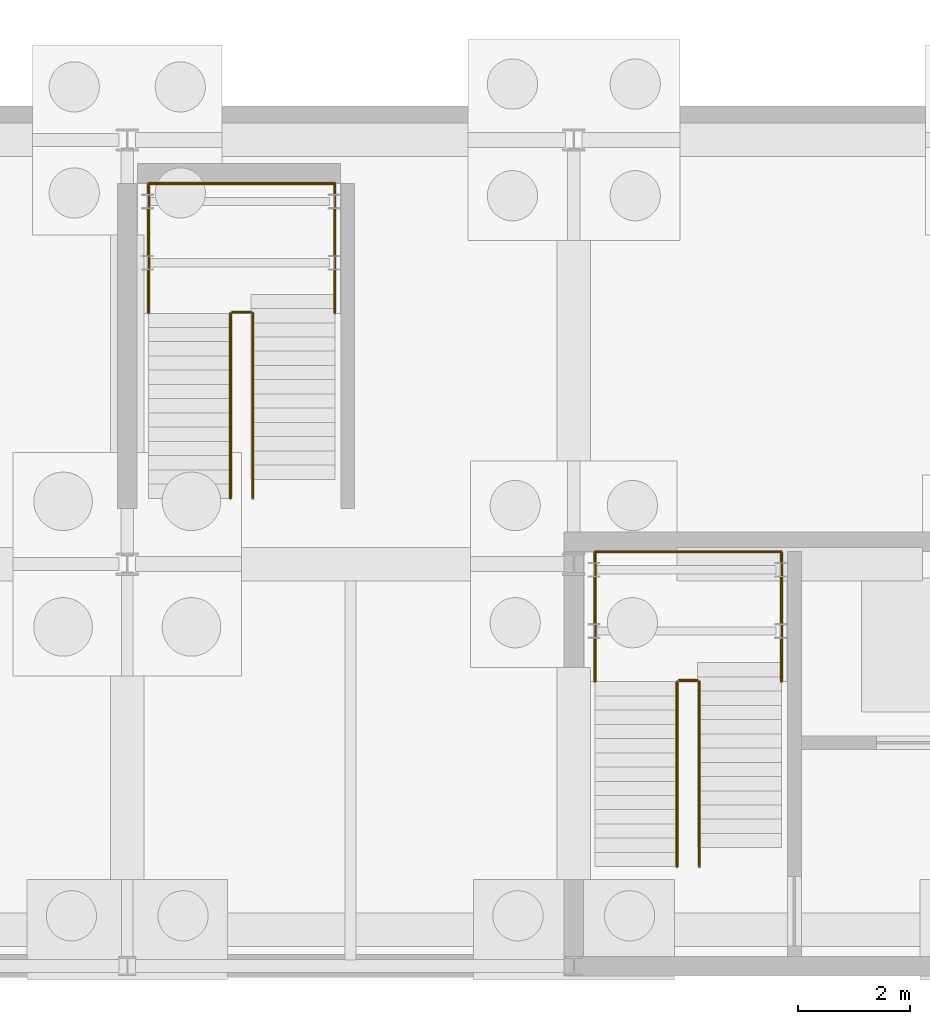
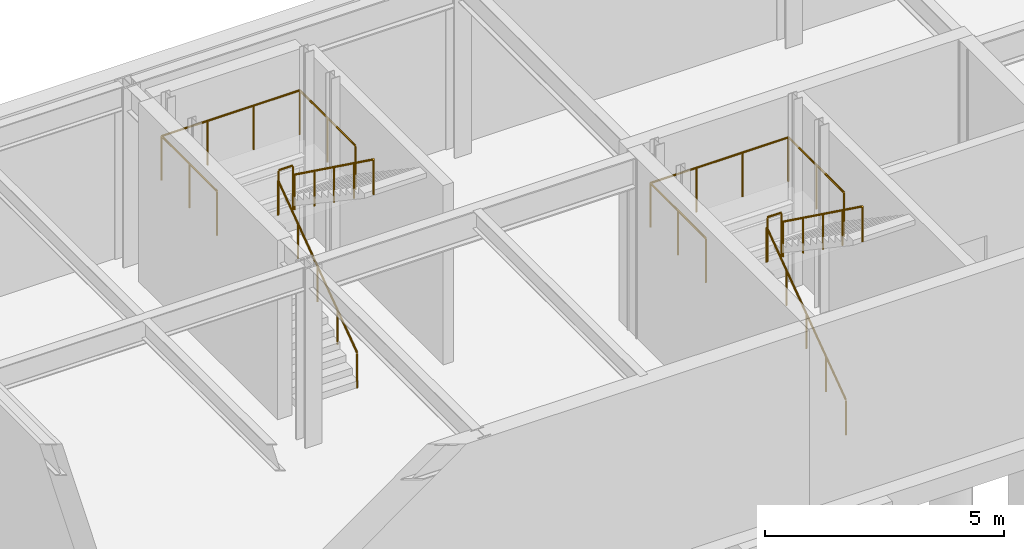
# One storey, part 18 of 21: 8 railings.
"""IFC4 building model written with IfcOpenShell, lengths in metres."""

import ifcopenshell
import ifcopenshell.guid

model = None  # the IFC model being written
_history = None  # IfcOwnerHistory: only IFC2X3 demands one
_inside = {}  # id of a spatial element -> (the spatial element, [elements in it])
_under = {}  # id of a project, library or spatial element -> (it, [spatial elements below it])
_declared = {}  # id of a project -> (the project, [libraries it declares])
_typed = {}  # id of a type object -> (the type object, [elements of that type])
_made_of = {}  # id of a material, layer set ... -> (it, [elements and type objects made of it])


def new_model(schema):
    """Start an empty IFC model of exactly this schema.

    Asked for "IFC4X3", IfcOpenShell would pick the latest addendum, in which some entities
    have other attributes; the version numbers below select the first issue.
    IFC2X3 requires an IfcOwnerHistory on every rooted entity: one is made here for all.
    """
    global model, _history
    if schema == "IFC4X3":
        model = ifcopenshell.file(schema_version=(4, 3, 0, 0))
    else:
        model = ifcopenshell.file(schema=schema)
    _inside.clear()
    _under.clear()
    _declared.clear()
    _typed.clear()
    _made_of.clear()
    _history = None
    if model.schema == "IFC2X3":
        org = make("IfcOrganization", Name="unknown")
        user = make(
            "IfcPersonAndOrganization",
            ThePerson=make("IfcPerson", FamilyName="unknown"),
            TheOrganization=org,
        )
        app = make(
            "IfcApplication",
            ApplicationDeveloper=org,
            Version="unknown",
            ApplicationFullName="unknown",
            ApplicationIdentifier="unknown",
        )
        _history = make(
            "IfcOwnerHistory",
            OwningUser=user,
            OwningApplication=app,
            ChangeAction="ADDED",
            CreationDate=0,
        )
    return model


def make(cls, **values):
    """One entity of the class cls with the attributes given. An attribute that is None is left unset."""
    return model.create_entity(
        cls, **{name: value for name, value in values.items() if value is not None}
    )


def rooted(cls, **values):
    """An entity with a GlobalId (a new one), such as an element, a storey or a relation."""
    return make(cls, GlobalId=ifcopenshell.guid.new(), OwnerHistory=_history, **values)


def si_unit(unit_type, name, prefix=None):
    """IfcSIUnit, for example si_unit("LENGTHUNIT", "METRE", prefix="MILLI")."""
    return make("IfcSIUnit", UnitType=unit_type, Prefix=prefix, Name=name)


def assignment(units):
    """IfcUnitAssignment: the units of a project."""
    return None if units is None else make("IfcUnitAssignment", Units=units)


def point(xyz):
    """IfcCartesianPoint."""
    return None if xyz is None else make("IfcCartesianPoint", Coordinates=xyz)


def direction(xyz):
    """IfcDirection."""
    return None if xyz is None else make("IfcDirection", DirectionRatios=xyz)


def frame(location, z_axis=None, x_axis=None):
    """IfcAxis2Placement3D, a coordinate frame: its origin and axes. An axis left out is left unset."""
    return make(
        "IfcAxis2Placement3D",
        Location=point(location),
        Axis=direction(z_axis),
        RefDirection=direction(x_axis),
    )


def frame_2d(location, x_axis=None):
    """IfcAxis2Placement2D, a coordinate frame in the plane: its origin and x axis."""
    return make(
        "IfcAxis2Placement2D", Location=point(location), RefDirection=direction(x_axis)
    )


def origin():
    """The frame at (0, 0, 0) with its axes left unset."""
    return frame((0.0, 0.0, 0.0))


def origin_2d():
    """The frame at (0, 0) in the plane with its x axis left unset."""
    return frame_2d((0.0, 0.0))


def place(relative_to, where):
    """IfcLocalPlacement: puts the frame where relative to a parent placement (None: the world)."""
    return make(
        "IfcLocalPlacement", PlacementRelTo=relative_to, RelativePlacement=where
    )


def context(
    kind, dimensions, precision=None, world=None, true_north=None, identifier=None
):
    """IfcGeometricRepresentationContext, for example the 3D "Model" context."""
    return make(
        "IfcGeometricRepresentationContext",
        ContextIdentifier=identifier,
        ContextType=kind,
        CoordinateSpaceDimension=dimensions,
        Precision=precision,
        WorldCoordinateSystem=world,
        TrueNorth=true_north,
    )


def subcontext(parent, identifier, kind, view, scale=None):
    """IfcGeometricRepresentationSubContext, for example "Body" below "Model"."""
    return make(
        "IfcGeometricRepresentationSubContext",
        ContextIdentifier=identifier,
        ContextType=kind,
        ParentContext=parent,
        TargetScale=scale,
        TargetView=view,
    )


def project(units=None, contexts=None):
    """IfcProject with its units and contexts."""
    return rooted(
        "IfcProject",
        Name="project",
        RepresentationContexts=contexts,
        UnitsInContext=assignment(units),
    )


def spatial(cls, under=None, at=None, **own):
    """A site, building, storey or space (cls), placed at a placement, below another one or the project."""
    s = rooted(cls, ObjectPlacement=at, **own)
    if under is not None:
        _under.setdefault(under.id(), (under, []))[1].append(s)
    return s


def profile(cls, at=None, kind="AREA", **sizes):
    """A parametric profile (cls). Its sizes go by their IFC names, for example OverallWidth=200.0."""
    return make(cls, ProfileType=kind, Position=at, **sizes)


def circle(**sizes):
    """IfcCircleProfileDef."""
    return profile("IfcCircleProfileDef", **sizes)


def extrude(swept, where, along, depth):
    """IfcExtrudedAreaSolid: the profile swept, set in the frame where, extruded along a direction by depth."""
    return make(
        "IfcExtrudedAreaSolid",
        SweptArea=swept,
        Position=where,
        ExtrudedDirection=direction(along),
        Depth=depth,
    )


def shape(context_of_items, identifier, shape_type, items):
    """IfcShapeRepresentation: the items that make up one representation, for example the "Body"."""
    return make(
        "IfcShapeRepresentation",
        ContextOfItems=context_of_items,
        RepresentationIdentifier=identifier,
        RepresentationType=shape_type,
        Items=items,
    )


def material(Name=None, Category=None):
    """IfcMaterial."""
    return make("IfcMaterial", Name=Name, Category=Category)


def made_of(thing, what):
    """Note that an element or type object is made of a material, layer set ...; save() writes the relation."""
    if what is not None:
        _made_of.setdefault(what.id(), (what, []))[1].append(thing)
    return thing


def type_object(cls, material=None, **own):
    """A type object (cls), such as IfcWallType, which elements share."""
    return made_of(rooted(cls, **own), material)


def element(
    cls,
    number,
    at=None,
    inside=None,
    cuts=None,
    type_object=None,
    material=None,
    context=None,
    identifier="Body",
    shape_type=None,
    held_by="IfcProductDefinitionShape",
    body=None,
    shapes=None,
    **own,
):
    """One element of the class cls, such as IfcWall. Its Tag is "e" and its number.

    at: its placement. inside: the storey or other place that contains it. cuts: it is an
    opening in that element (IfcRelVoidsElement). A single representation is given by context,
    identifier, shape_type and body (its items); several are given by shapes. held_by: the class
    of the entity that holds the representations. save() writes the other relations.
    """
    e = rooted(cls, Tag="e%d" % number, ObjectPlacement=at, **own)
    if body is not None:
        shapes = [shape(context, identifier, shape_type, body)]
    if shapes is not None:
        e.Representation = make(held_by, Representations=shapes)
    if inside is not None:
        _inside.setdefault(inside.id(), (inside, []))[1].append(e)
    if cuts is not None:
        rooted(
            "IfcRelVoidsElement", RelatingBuildingElement=cuts, RelatedOpeningElement=e
        )
    if type_object is not None:
        _typed.setdefault(type_object.id(), (type_object, []))[1].append(e)
    return made_of(e, material)


def aggregate(whole, parts):
    """IfcRelAggregates: a whole, such as a stair, and the parts it consists of."""
    return rooted("IfcRelAggregates", RelatingObject=whole, RelatedObjects=parts)


def save(model, path):
    """Write the relations noted so far, then the file.

    IfcRelAggregates (storeys below a building ...), IfcRelContainedInSpatialStructure (elements
    in a storey), IfcRelDefinesByType, IfcRelAssociatesMaterial and IfcRelDeclares: one each for
    every whole, place, type object, material and project.
    """
    for whole, parts in _under.values():
        aggregate(whole, parts)
    for where, things in _inside.values():
        rooted(
            "IfcRelContainedInSpatialStructure",
            RelatedElements=things,
            RelatingStructure=where,
        )
    for kind, things in _typed.values():
        rooted("IfcRelDefinesByType", RelatedObjects=things, RelatingType=kind)
    for what, things in _made_of.values():
        rooted("IfcRelAssociatesMaterial", RelatedObjects=things, RelatingMaterial=what)
    for by, libraries in _declared.values():
        rooted("IfcRelDeclares", RelatingContext=by, RelatedDefinitions=libraries)
    model.write(path)


model = new_model("IFC4")

# Units and contexts
model_context = context("Model", 3, precision=1e-05, world=origin(), true_north=direction((0.0, 1.0)))
body_context = subcontext(model_context, "Body", "Model", "MODEL_VIEW")
ifc_project = project(units=[si_unit("LENGTHUNIT", "METRE"), si_unit("AREAUNIT", "SQUARE_METRE"), si_unit("VOLUMEUNIT", "CUBIC_METRE"), si_unit("PLANEANGLEUNIT", "RADIAN"), si_unit("MASSUNIT", "GRAM", prefix="KILO")], contexts=[model_context])

# Site, building, storey
site_placement = place(None, origin())
site = spatial("IfcSite", under=ifc_project, at=site_placement, CompositionType="ELEMENT")
building_placement = place(site_placement, origin())
building = spatial("IfcBuilding", under=site, at=building_placement, Name="Zulena Civic Courthouse", CompositionType="ELEMENT")
storey_placement = place(building_placement, frame((0.0, 0.0, -4.800048828125)))
storey = spatial("IfcBuildingStorey", under=building, at=storey_placement, Name="B01", CompositionType="ELEMENT", Elevation=-4.800048828125)

# Railings
ifc_material = material(Name="Brushed architectural steel ASTM A36", Category="steel")
railing_type_1 = type_object("IfcRailingType", Name="InteriorGuardrail_1150", PredefinedType="GUARDRAIL", material=ifc_material)
railing_1_placement = place(storey_placement, frame((20.3798828125, 51.094482421875, 2.400146484375)))
element("IfcRailing", 1, at=railing_1_placement, inside=storey, type_object=railing_type_1, Name="gr:lnd:K5A:B01", PredefinedType="GUARDRAIL", context=body_context, shape_type="SweptSolid", body=[
    extrude(circle(Radius=0.02392578125, at=origin_2d()), frame((0.0, 0.00390625, 1.1259765625), z_axis=(0.0, 1.0, 0.0), x_axis=(-1.0, 0.0, 0.0)), (0.0, 0.0, 1.0), 2.3173828125),
    extrude(circle(Radius=0.02392578125, at=origin_2d()), frame((0.00390625, 2.325439453125, 1.1259765625), z_axis=(1.0, 0.0, 0.0), x_axis=(0.0, 1.0, 0.0)), (0.0, 0.0, 1.0), 3.33203125),
    extrude(circle(Radius=0.02392578125, at=origin_2d()), frame((3.340087890625, 2.321533203125, 1.1259765625), z_axis=(0.0, -1.0, 0.0), x_axis=(1.0, 0.0, 0.0)), (0.0, 0.0, 1.0), 2.3173828125),
    extrude(circle(Radius=0.02099609375, at=origin_2d()), origin(), (0.0, 0.0, 1.0), 1.097900390625),
    extrude(circle(Radius=0.02099609375, at=origin_2d()), frame((0.0, 1.16259765625, 0.0)), (0.0, 0.0, 1.0), 1.097900390625),
    extrude(circle(Radius=0.02099609375, at=origin_2d()), frame((0.0, 2.325439453125, 0.0)), (0.0, 0.0, 1.0), 1.097900390625),
    extrude(circle(Radius=0.02099609375, at=origin_2d()), frame((1.11328125, 2.325439453125, 0.0)), (0.0, 0.0, 1.0), 1.097900390625),
    extrude(circle(Radius=0.02099609375, at=origin_2d()), frame((2.226806640625, 2.325439453125, 0.0)), (0.0, 0.0, 1.0), 1.097900390625),
    extrude(circle(Radius=0.02099609375, at=origin_2d()), frame((3.340087890625, 2.325439453125, 0.0)), (0.0, 0.0, 1.0), 1.097900390625),
    extrude(circle(Radius=0.02099609375, at=origin_2d()), frame((3.340087890625, 1.16259765625, 0.0)), (0.0, 0.0, 1.0), 1.097900390625),
    extrude(circle(Radius=0.02099609375, at=origin_2d()), frame((3.340087890625, 0.0, 0.0)), (0.0, 0.0, 1.0), 1.097900390625),
])
railing_2_placement = place(storey_placement, frame((21.8798828125, 51.114990234375, 2.400146484375)))
element("IfcRailing", 2, at=railing_2_placement, inside=storey, type_object=railing_type_1, Name="gr:lndslot:K5A:B01", PredefinedType="GUARDRAIL", context=body_context, shape_type="SweptSolid", body=[
    extrude(circle(Radius=0.02392578125, at=origin_2d()), frame((0.00390625, 0.0, 1.1259765625), z_axis=(1.0, 0.0, 0.0), x_axis=(0.0, 1.0, 0.0)), (0.0, 0.0, 1.0), 0.33203125),
    extrude(circle(Radius=0.02099609375, at=origin_2d()), origin(), (0.0, 0.0, 1.0), 1.097900390625),
    extrude(circle(Radius=0.02099609375, at=origin_2d()), frame((0.340087890625, 0.0, 0.0)), (0.0, 0.0, 1.0), 1.097900390625),
])
railing_3_placement = place(storey_placement, frame((12.3798828125, 57.694580078125, 2.400146484375)))
element("IfcRailing", 3, at=railing_3_placement, inside=storey, type_object=railing_type_1, Name="gr:lnd:STB1:B01", PredefinedType="GUARDRAIL", context=body_context, shape_type="SweptSolid", body=[
    extrude(circle(Radius=0.02392578125, at=origin_2d()), frame((0.0, 0.00390625, 1.1259765625), z_axis=(0.0, 1.0, 0.0), x_axis=(-1.0, 0.0, 0.0)), (0.0, 0.0, 1.0), 2.3173828125),
    extrude(circle(Radius=0.02392578125, at=origin_2d()), frame((0.00390625, 2.325439453125, 1.1259765625), z_axis=(1.0, 0.0, 0.0), x_axis=(0.0, 1.0, 0.0)), (0.0, 0.0, 1.0), 3.33203125),
    extrude(circle(Radius=0.02392578125, at=origin_2d()), frame((3.340087890625, 2.321533203125, 1.1259765625), z_axis=(0.0, -1.0, 0.0), x_axis=(1.0, 0.0, 0.0)), (0.0, 0.0, 1.0), 2.3173828125),
    extrude(circle(Radius=0.02099609375, at=origin_2d()), origin(), (0.0, 0.0, 1.0), 1.097900390625),
    extrude(circle(Radius=0.02099609375, at=origin_2d()), frame((0.0, 1.16259765625, 0.0)), (0.0, 0.0, 1.0), 1.097900390625),
    extrude(circle(Radius=0.02099609375, at=origin_2d()), frame((0.0, 2.325439453125, 0.0)), (0.0, 0.0, 1.0), 1.097900390625),
    extrude(circle(Radius=0.02099609375, at=origin_2d()), frame((1.11328125, 2.325439453125, 0.0)), (0.0, 0.0, 1.0), 1.097900390625),
    extrude(circle(Radius=0.02099609375, at=origin_2d()), frame((2.226806640625, 2.325439453125, 0.0)), (0.0, 0.0, 1.0), 1.097900390625),
    extrude(circle(Radius=0.02099609375, at=origin_2d()), frame((3.340087890625, 2.325439453125, 0.0)), (0.0, 0.0, 1.0), 1.097900390625),
    extrude(circle(Radius=0.02099609375, at=origin_2d()), frame((3.340087890625, 1.16259765625, 0.0)), (0.0, 0.0, 1.0), 1.097900390625),
    extrude(circle(Radius=0.02099609375, at=origin_2d()), frame((3.340087890625, 0.0, 0.0)), (0.0, 0.0, 1.0), 1.097900390625),
])
railing_4_placement = place(storey_placement, frame((13.8798828125, 57.715087890625, 2.400146484375)))
element("IfcRailing", 4, at=railing_4_placement, inside=storey, type_object=railing_type_1, Name="gr:lndslot:STB1:B01", PredefinedType="GUARDRAIL", context=body_context, shape_type="SweptSolid", body=[
    extrude(circle(Radius=0.02392578125, at=origin_2d()), frame((0.00390625, 0.0, 1.1259765625), z_axis=(1.0, 0.0, 0.0), x_axis=(0.0, 1.0, 0.0)), (0.0, 0.0, 1.0), 0.33203125),
    extrude(circle(Radius=0.02099609375, at=origin_2d()), origin(), (0.0, 0.0, 1.0), 1.097900390625),
    extrude(circle(Radius=0.02099609375, at=origin_2d()), frame((0.340087890625, 0.0, 0.0)), (0.0, 0.0, 1.0), 1.097900390625),
])
railing_type_2 = type_object("IfcRailingType", Name="StairHandrail_920", PredefinedType="HANDRAIL", material=ifc_material)
railing_5_placement = place(storey_placement, frame((21.85009765625, 47.780029296875, 0.0)))
element("IfcRailing", 5, at=railing_5_placement, inside=storey, type_object=railing_type_2, Name="hr:K5A:B01:1", PredefinedType="HANDRAIL", context=body_context, shape_type="SweptSolid", body=[
    extrude(circle(Radius=0.02392578125, at=origin_2d()), frame((0.0, 0.003173828125, 0.898193359375), z_axis=(0.0, 0.809939189741, 0.586513860809), x_axis=(-1.0, 0.0, 0.0)), (0.0, 0.0, 1.0), 4.084228515625),
    extrude(circle(Radius=0.02099609375, at=origin_2d()), origin(), (0.0, 0.0, 1.0), 0.867919921875),
    extrude(circle(Radius=0.02099609375, at=origin_2d()), frame((0.0, 0.82861328125, 0.60009765625)), (0.0, 0.0, 1.0), 0.867919921875),
    extrude(circle(Radius=0.02099609375, at=origin_2d()), frame((0.0, 1.6572265625, 1.2001953125)), (0.0, 0.0, 1.0), 0.867919921875),
    extrude(circle(Radius=0.02099609375, at=origin_2d()), frame((0.0, 2.48583984375, 1.800048828125)), (0.0, 0.0, 1.0), 0.867919921875),
    extrude(circle(Radius=0.02099609375, at=origin_2d()), frame((0.0, 3.314453125, 2.400146484375)), (0.0, 0.0, 1.0), 0.867919921875),
])
railing_6_placement = place(storey_placement, frame((22.25, 51.094482421875, 2.400146484375)))
element("IfcRailing", 6, at=railing_6_placement, inside=storey, type_object=railing_type_2, Name="hr:K5A:B01:2", PredefinedType="HANDRAIL", context=body_context, shape_type="SweptSolid", body=[
    extrude(circle(Radius=0.02392578125, at=origin_2d()), frame((0.0, -0.003173828125, 0.898193359375), z_axis=(0.0, -0.809967530533, 0.586474721946), x_axis=(1.0, 0.0, 0.0)), (0.0, 0.0, 1.0), 4.083984375),
    extrude(circle(Radius=0.02099609375, at=origin_2d()), origin(), (0.0, 0.0, 1.0), 0.867919921875),
    extrude(circle(Radius=0.02099609375, at=origin_2d()), frame((0.0, -0.82861328125, 0.60009765625)), (0.0, 0.0, 1.0), 0.867919921875),
    extrude(circle(Radius=0.02099609375, at=origin_2d()), frame((0.0, -1.6572265625, 1.199951171875)), (0.0, 0.0, 1.0), 0.867919921875),
    extrude(circle(Radius=0.02099609375, at=origin_2d()), frame((0.0, -2.48583984375, 1.7998046875)), (0.0, 0.0, 1.0), 0.867919921875),
    extrude(circle(Radius=0.02099609375, at=origin_2d()), frame((0.0, -3.314453125, 2.39990234375)), (0.0, 0.0, 1.0), 0.867919921875),
])
railing_7_placement = place(storey_placement, frame((13.85009765625, 54.3798828125, 0.0)))
element("IfcRailing", 7, at=railing_7_placement, inside=storey, type_object=railing_type_2, Name="hr:STB1:B01:1", PredefinedType="HANDRAIL", context=body_context, shape_type="SweptSolid", body=[
    extrude(circle(Radius=0.02392578125, at=origin_2d()), frame((0.0, 0.003173828125, 0.898193359375), z_axis=(0.0, 0.809959711079, 0.586485521074), x_axis=(-1.0, 0.0, 0.0)), (0.0, 0.0, 1.0), 4.08447265625),
    extrude(circle(Radius=0.02099609375, at=origin_2d()), origin(), (0.0, 0.0, 1.0), 0.867919921875),
    extrude(circle(Radius=0.02099609375, at=origin_2d()), frame((0.0, 0.82861328125, 0.60009765625)), (0.0, 0.0, 1.0), 0.867919921875),
    extrude(circle(Radius=0.02099609375, at=origin_2d()), frame((0.0, 1.6572265625, 1.2001953125)), (0.0, 0.0, 1.0), 0.867919921875),
    extrude(circle(Radius=0.02099609375, at=origin_2d()), frame((0.0, 2.486083984375, 1.800048828125)), (0.0, 0.0, 1.0), 0.867919921875),
    extrude(circle(Radius=0.02099609375, at=origin_2d()), frame((0.0, 3.314697265625, 2.400146484375)), (0.0, 0.0, 1.0), 0.867919921875),
])
railing_8_placement = place(storey_placement, frame((14.25, 57.694580078125, 2.400146484375)))
element("IfcRailing", 8, at=railing_8_placement, inside=storey, type_object=railing_type_2, Name="hr:STB1:B01:2", PredefinedType="HANDRAIL", context=body_context, shape_type="SweptSolid", body=[
    extrude(circle(Radius=0.02392578125, at=origin_2d()), frame((0.0, -0.003173828125, 0.898193359375), z_axis=(0.0, -0.80998804985, 0.586446382119), x_axis=(1.0, 0.0, 0.0)), (0.0, 0.0, 1.0), 4.084228515625),
    extrude(circle(Radius=0.02099609375, at=origin_2d()), origin(), (0.0, 0.0, 1.0), 0.867919921875),
    extrude(circle(Radius=0.02099609375, at=origin_2d()), frame((0.0, -0.82861328125, 0.60009765625)), (0.0, 0.0, 1.0), 0.867919921875),
    extrude(circle(Radius=0.02099609375, at=origin_2d()), frame((0.0, -1.6572265625, 1.199951171875)), (0.0, 0.0, 1.0), 0.867919921875),
    extrude(circle(Radius=0.02099609375, at=origin_2d()), frame((0.0, -2.486083984375, 1.7998046875)), (0.0, 0.0, 1.0), 0.867919921875),
    extrude(circle(Radius=0.02099609375, at=origin_2d()), frame((0.0, -3.314697265625, 2.39990234375)), (0.0, 0.0, 1.0), 0.867919921875),
])

save(model, "model.ifc")
